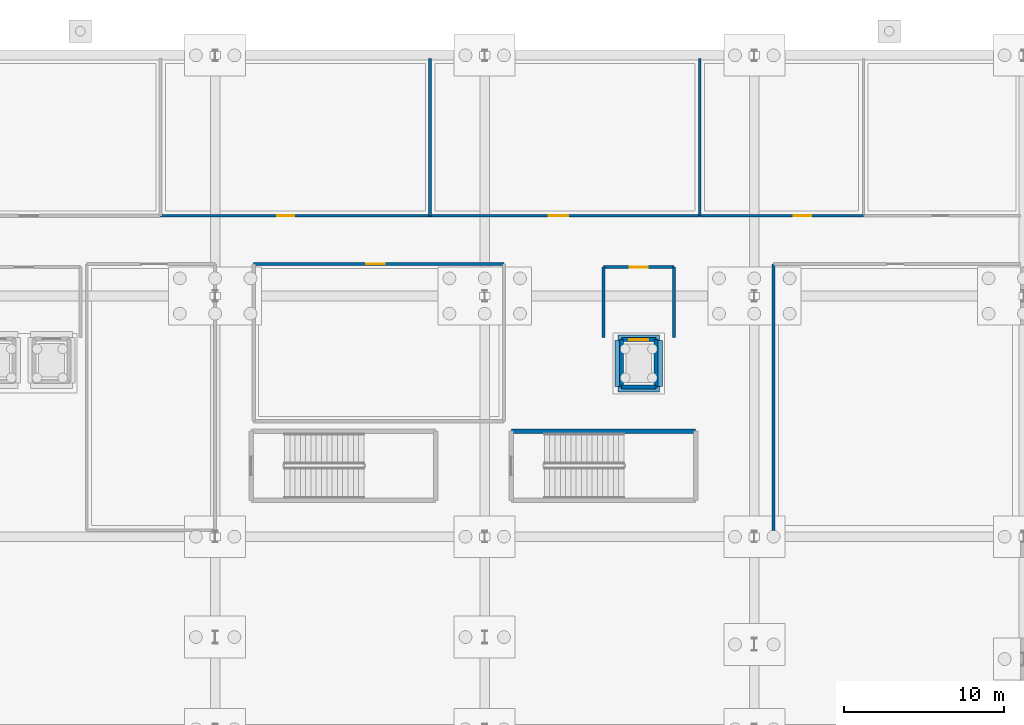
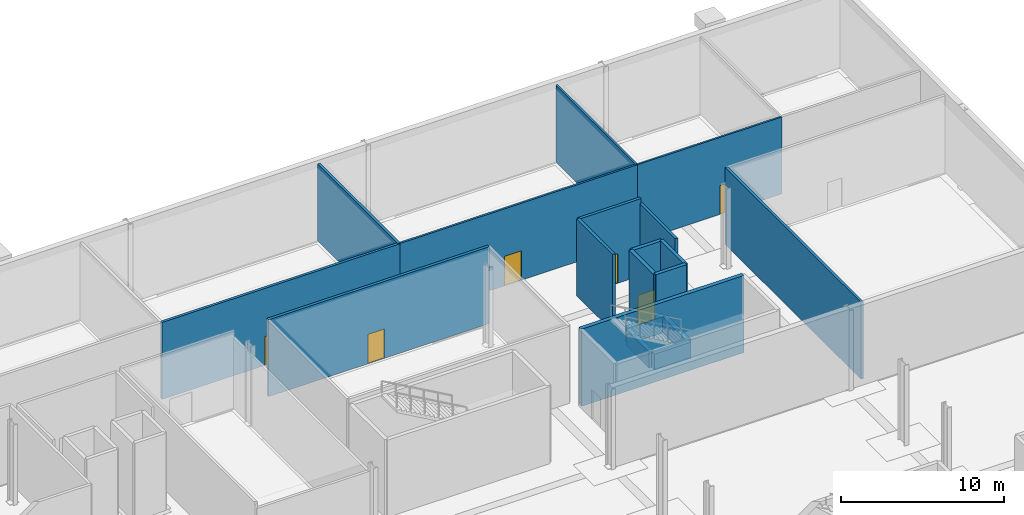
# One storey, part 31 of 46: 19 walls, 6 doors, 6 openings.
"""IFC4 building model written with IfcOpenShell, lengths in metres."""

from ifc_helpers import new_model, si_unit, direction, frame, frame_2d, origin, place, context, subcontext, project, spatial, rectangle, extrude, material, layer, layer_set, type_object, element, fill, save


model = new_model("IFC4")

# Units and contexts
model_context = context("Model", 3, precision=1e-05, world=origin(), true_north=direction((0.0, 1.0)))
body_context = subcontext(model_context, "Body", "Model", "MODEL_VIEW")
ifc_project = project(units=[si_unit("LENGTHUNIT", "METRE"), si_unit("AREAUNIT", "SQUARE_METRE"), si_unit("VOLUMEUNIT", "CUBIC_METRE"), si_unit("PLANEANGLEUNIT", "RADIAN"), si_unit("MASSUNIT", "GRAM", prefix="KILO")], contexts=[model_context])

# Site, building, storey
site_placement = place(None, origin())
site = spatial("IfcSite", under=ifc_project, at=site_placement, CompositionType="ELEMENT")
building_placement = place(site_placement, origin())
building = spatial("IfcBuilding", under=site, at=building_placement, Name="Kimbaza Rail Terminus", CompositionType="ELEMENT")
storey_placement = place(building_placement, frame((0.0, 0.0, -6.0)))
storey = spatial("IfcBuildingStorey", under=building, at=storey_placement, Name="B1", CompositionType="ELEMENT", Elevation=-6.0)

# Wall, opening, door
ifc_material_1 = material(Name="Concrete blockwork C30/37", Category="masonry")
ifc_layer_1 = layer(ifc_material_1, 0.179931640625)
ifc_layer_set_1 = layer_set([ifc_layer_1], Name="Concrete blockwork C30/37")
wall_type_1 = type_object("IfcWallType", Name="ARC-WL-FIRE180", PredefinedType="PARTITIONING", material=ifc_layer_set_1)
wall_1_placement = place(storey_placement, frame((102.199951171875, 123.0, 0.0), z_axis=(0.0, 0.0, 1.0), x_axis=(1.0, 0.0, 0.0)))
wall_1 = element("IfcWall", 1, at=wall_1_placement, inside=storey, type_object=wall_type_1, Name="Sprinkler and Fire Pump Plant Partition (south)", PredefinedType="PARTITIONING", context=body_context, shape_type="SweptSolid", body=[
    extrude(rectangle(XDim=16.800048828125, YDim=0.179931640625, at=frame_2d((8.39990234375, 0.0))), origin(), (0.0, 0.0, 1.0), 5.75),
])
opening_1_placement = place(wall_1_placement, frame((7.27490234375, 0.0, 0.0)))
opening_1 = element("IfcOpeningElement", 2, at=opening_1_placement, cuts=wall_1, Name="Opening FD-04", PredefinedType="OPENING", context=body_context, shape_type="SweptSolid", body=[
    extrude(rectangle(XDim=1.050048828125, YDim=2.14990234375, at=frame_2d((0.52490234375, 1.074951171875))), frame((0.0, 0.099853515625, 0.0), z_axis=(0.0, -1.0, 0.0), x_axis=(1.0, 0.0, 0.0)), (0.0, 0.0, 1.0), 0.199951171875),
])
ifc_material_2 = material(Name="Plant room steel fire door", Category="steel")
door_type_1 = type_object("IfcDoorType", Name="ARC-DR-FD105", OperationType="NOTDEFINED", PredefinedType="DOOR", material=ifc_material_2)
door_1_placement = place(opening_1_placement, origin())
door_1 = element("IfcDoor", 3, at=door_1_placement, inside=storey, type_object=door_type_1, Name="IDR-SPC-V5N-B1-04", OperationType="SINGLE_SWING_LEFT", OverallHeight=2.14990234375, OverallWidth=1.050048828125, PredefinedType="DOOR", context=body_context, shape_type="SweptSolid", body=[
    extrude(rectangle(XDim=1.050048828125, YDim=2.14990234375, at=frame_2d((0.52490234375, 1.074951171875))), frame((0.0, 0.02490234375, 0.0), z_axis=(0.0, -1.0, 0.0), x_axis=(1.0, 0.0, 0.0)), (0.0, 0.0, 1.0), 0.050048828125),
])
fill(opening_1, door_1)

# Walls
wall_2_placement = place(storey_placement, frame((119.0, 123.0, 0.0), z_axis=(0.0, 0.0, 1.0), x_axis=(0.0, 1.0, 0.0)))
element("IfcWall", 4, at=wall_2_placement, inside=storey, type_object=wall_type_1, Name="Sprinkler and Fire Pump Plant Partition (east)", PredefinedType="PARTITIONING", context=body_context, shape_type="SweptSolid", body=[
    extrude(rectangle(XDim=9.800048828125, YDim=0.179931640625, at=frame_2d((4.89990234375, 0.0))), origin(), (0.0, 0.0, 1.0), 5.75),
])
wall_3_placement = place(storey_placement, frame((140.39990234375, 120.0, 0.0), z_axis=(0.0, 0.0, 1.0), x_axis=(0.0, -1.0, 0.0)))
element("IfcWall", 5, at=wall_3_placement, inside=storey, type_object=wall_type_1, Name="B1 East Telecoms Technical Office Partition (west)", PredefinedType="PARTITIONING", context=body_context, shape_type="SweptSolid", body=[
    extrude(rectangle(XDim=16.60009765625, YDim=0.179931640625, at=frame_2d((8.300048828125, 0.0))), origin(), (0.0, 0.0, 1.0), 5.75),
])
ifc_material_3 = material(Name="Concrete blockwork C30/37", Category="masonry")
ifc_layer_2 = layer(ifc_material_3, 0.199951171875)
ifc_layer_set_2 = layer_set([ifc_layer_2], Name="Concrete blockwork C30/37")
wall_type_2 = type_object("IfcWallType", Name="ARC-WL-FIRE200", PredefinedType="PARTITIONING", material=ifc_layer_set_2)
wall_4_placement = place(storey_placement, frame((134.199951171875, 115.39990234375, 0.0), z_axis=(0.0, 0.0, 1.0), x_axis=(0.0, 1.0, 0.0)))
element("IfcWall", 6, at=wall_4_placement, inside=storey, type_object=wall_type_2, Name="Firefighting Lobby LF-02 Partition (east)", PredefinedType="PARTITIONING", context=body_context, shape_type="SweptSolid", body=[
    extrude(rectangle(XDim=4.400146484375, YDim=0.199951171875, at=frame_2d((2.2001953125, 0.0))), origin(), (0.0, 0.0, 1.0), 5.39501953125),
])

# Wall, opening, door
wall_5_placement = place(storey_placement, frame((134.199951171875, 119.800048828125, 0.0), z_axis=(0.0, 0.0, 1.0), x_axis=(-1.0, 0.0, 0.0)))
wall_5 = element("IfcWall", 7, at=wall_5_placement, inside=storey, type_object=wall_type_2, Name="Firefighting Lobby LF-02 Partition (north)", PredefinedType="PARTITIONING", context=body_context, shape_type="SweptSolid", body=[
    extrude(rectangle(XDim=4.39990234375, YDim=0.199951171875, at=frame_2d((2.199951171875, 0.0))), origin(), (0.0, 0.0, 1.0), 5.75),
])
opening_2_placement = place(wall_5_placement, frame((1.625, 0.0, 0.0)))
opening_2 = element("IfcOpeningElement", 8, at=opening_2_placement, cuts=wall_5, Name="Opening FD-03", PredefinedType="OPENING", context=body_context, shape_type="SweptSolid", body=[
    extrude(rectangle(XDim=1.14990234375, YDim=2.199951171875, at=frame_2d((0.574951171875, 1.10009765625))), frame((0.0, 0.10986328125, 0.0), z_axis=(0.0, -1.0, 0.0), x_axis=(1.0, 0.0, 0.0)), (0.0, 0.0, 1.0), 0.219970703125),
])
ifc_material_4 = material(Name="Firefighting lobby self-closing steel door", Category="steel")
door_type_2 = type_object("IfcDoorType", Name="ARC-DR-FD115", OperationType="NOTDEFINED", PredefinedType="DOOR", material=ifc_material_4)
door_2_placement = place(opening_2_placement, origin())
door_2 = element("IfcDoor", 9, at=door_2_placement, inside=storey, type_object=door_type_2, Name="IDR-SPC-FFL-LF-02-B1", OperationType="SINGLE_SWING_RIGHT", OverallHeight=2.199951171875, OverallWidth=1.14990234375, PredefinedType="DOOR", context=body_context, shape_type="SweptSolid", body=[
    extrude(rectangle(XDim=1.14990234375, YDim=2.199951171875, at=frame_2d((0.574951171875, 1.10009765625))), frame((0.0, 0.02490234375, 0.0), z_axis=(0.0, -1.0, 0.0), x_axis=(1.0, 0.0, 0.0)), (0.0, 0.0, 1.0), 0.050048828125),
])
fill(opening_2, door_2)

# Wall
wall_6_placement = place(storey_placement, frame((129.800048828125, 119.800048828125, 0.0), z_axis=(0.0, 0.0, 1.0), x_axis=(0.0, -1.0, 0.0)))
element("IfcWall", 10, at=wall_6_placement, inside=storey, type_object=wall_type_2, Name="Firefighting Lobby LF-02 Partition (west)", PredefinedType="PARTITIONING", context=body_context, shape_type="SweptSolid", body=[
    extrude(rectangle(XDim=4.400146484375, YDim=0.199951171875, at=frame_2d((2.2001953125, 0.0))), origin(), (0.0, 0.0, 1.0), 5.75),
])

# Wall, opening, door
wall_7_placement = place(storey_placement, frame((123.60009765625, 120.0, 0.0), z_axis=(0.0, 0.0, 1.0), x_axis=(-1.0, 0.0, 0.0)))
wall_7 = element("IfcWall", 11, at=wall_7_placement, inside=storey, type_object=wall_type_2, Name="B1 Rolling Stock Rostering Studio Partition (north)", PredefinedType="PARTITIONING", context=body_context, shape_type="SweptSolid", body=[
    extrude(rectangle(XDim=15.60009765625, YDim=0.199951171875, at=frame_2d((7.800048828125, 0.0))), origin(), (0.0, 0.0, 1.0), 5.75),
])
opening_3_placement = place(wall_7_placement, frame((7.425048828125, 0.0, 0.0)))
opening_3 = element("IfcOpeningElement", 12, at=opening_3_placement, cuts=wall_7, Name="Opening FD-03", PredefinedType="OPENING", context=body_context, shape_type="SweptSolid", body=[
    extrude(rectangle(XDim=1.14990234375, YDim=2.199951171875, at=frame_2d((0.574951171875, 1.10009765625))), frame((0.0, 0.10986328125, 0.0), z_axis=(0.0, -1.0, 0.0), x_axis=(1.0, 0.0, 0.0)), (0.0, 0.0, 1.0), 0.219970703125),
])
door_3_placement = place(opening_3_placement, origin())
door_3 = element("IfcDoor", 13, at=door_3_placement, inside=storey, type_object=door_type_2, Name="IDR-SPC-V5S-B1-4", OperationType="SINGLE_SWING_RIGHT", OverallHeight=2.199951171875, OverallWidth=1.14990234375, PredefinedType="DOOR", context=body_context, shape_type="SweptSolid", body=[
    extrude(rectangle(XDim=1.14990234375, YDim=2.199951171875, at=frame_2d((0.574951171875, 1.10009765625))), frame((0.0, 0.02490234375, 0.0), z_axis=(0.0, -1.0, 0.0), x_axis=(1.0, 0.0, 0.0)), (0.0, 0.0, 1.0), 0.050048828125),
])
fill(opening_3, door_3)

ifc_material_5 = material(Name="Acoustic gypsum stud partition", Category="gypsum")
ifc_layer_3 = layer(ifc_material_5, 0.1298828125)
ifc_layer_set_3 = layer_set([ifc_layer_3], Name="Acoustic gypsum stud partition")
wall_type_3 = type_object("IfcWallType", Name="ARC-WL-PART130", PredefinedType="PARTITIONING", material=ifc_layer_set_3)
wall_8_placement = place(storey_placement, frame((135.800048828125, 123.0, 0.0), z_axis=(0.0, 0.0, 1.0), x_axis=(1.0, 0.0, 0.0)))
wall_8 = element("IfcWall", 14, at=wall_8_placement, inside=storey, type_object=wall_type_3, Name="Track Maintenance Equipment Store Partition (south)", PredefinedType="PARTITIONING", context=body_context, shape_type="SweptSolid", body=[
    extrude(rectangle(XDim=10.199951171875, YDim=0.1298828125, at=frame_2d((5.10009765625, 0.0))), origin(), (0.0, 0.0, 1.0), 5.75),
])
opening_4_placement = place(wall_8_placement, frame((6.9501953125, 0.0, 0.0), z_axis=(0.0, 0.0, 1.0), x_axis=(-1.0, 0.0, 0.0)))
opening_4 = element("IfcOpeningElement", 15, at=opening_4_placement, cuts=wall_8, Name="Opening ID-04", PredefinedType="OPENING", context=body_context, shape_type="SweptSolid", body=[
    extrude(rectangle(XDim=1.10009765625, YDim=2.14990234375, at=frame_2d((0.550048828125, 1.074951171875))), frame((0.0, 0.074951171875, 0.0), z_axis=(0.0, -1.0, 0.0), x_axis=(1.0, 0.0, 0.0)), (0.0, 0.0, 1.0), 0.14990234375),
])
ifc_material_6 = material(Name="Hardwood veneer acoustic office door", Category="wood")
door_type_3 = type_object("IfcDoorType", Name="ARC-DR-ID110", OperationType="NOTDEFINED", PredefinedType="DOOR", material=ifc_material_6)
door_4_placement = place(opening_4_placement, origin())
door_4 = element("IfcDoor", 16, at=door_4_placement, inside=storey, type_object=door_type_3, Name="IDR-SPC-V5N-B1-06", OperationType="SINGLE_SWING_LEFT", OverallHeight=2.14990234375, OverallWidth=1.10009765625, PredefinedType="DOOR", context=body_context, shape_type="SweptSolid", body=[
    extrude(rectangle(XDim=1.10009765625, YDim=2.14990234375, at=frame_2d((0.550048828125, 1.074951171875))), frame((0.0, 0.02490234375, 0.0), z_axis=(0.0, -1.0, 0.0), x_axis=(1.0, 0.0, 0.0)), (0.0, 0.0, 1.0), 0.050048828125),
])
fill(opening_4, door_4)

ifc_material_7 = material(Name="Acoustic gypsum stud partition", Category="gypsum")
ifc_layer_4 = layer(ifc_material_7, 0.139892578125)
ifc_layer_set_4 = layer_set([ifc_layer_4], Name="Acoustic gypsum stud partition")
wall_type_4 = type_object("IfcWallType", Name="ARC-WL-PART140", PredefinedType="PARTITIONING", material=ifc_layer_set_4)
wall_9_placement = place(storey_placement, frame((119.0, 123.0, 0.0), z_axis=(0.0, 0.0, 1.0), x_axis=(1.0, 0.0, 0.0)))
wall_9 = element("IfcWall", 17, at=wall_9_placement, inside=storey, type_object=wall_type_4, Name="Fiber Cable Vault and Main Switch Partition (south)", PredefinedType="PARTITIONING", context=body_context, shape_type="SweptSolid", body=[
    extrude(rectangle(XDim=16.800048828125, YDim=0.139892578125, at=frame_2d((8.39990234375, 0.0))), origin(), (0.0, 0.0, 1.0), 5.75),
])
opening_5_placement = place(wall_9_placement, frame((7.39990234375, 0.0, 0.0)))
opening_5 = element("IfcOpeningElement", 18, at=opening_5_placement, cuts=wall_9, Name="Opening ID-03", PredefinedType="OPENING", context=body_context, shape_type="SweptSolid", body=[
    extrude(rectangle(XDim=1.199951171875, YDim=2.199951171875, at=frame_2d((0.60009765625, 1.10009765625))), frame((0.0, 0.079833984375, 0.0), z_axis=(0.0, -1.0, 0.0), x_axis=(1.0, 0.0, 0.0)), (0.0, 0.0, 1.0), 0.159912109375),
])
ifc_material_8 = material(Name="Hardwood veneer acoustic room door", Category="wood")
door_type_4 = type_object("IfcDoorType", Name="ARC-DR-ID120", OperationType="NOTDEFINED", PredefinedType="DOOR", material=ifc_material_8)
door_5_placement = place(opening_5_placement, origin())
door_5 = element("IfcDoor", 19, at=door_5_placement, inside=storey, type_object=door_type_4, Name="IDR-SPC-V5N-B1-05", OperationType="SINGLE_SWING_RIGHT", OverallHeight=2.199951171875, OverallWidth=1.199951171875, PredefinedType="DOOR", context=body_context, shape_type="SweptSolid", body=[
    extrude(rectangle(XDim=1.199951171875, YDim=2.199951171875, at=frame_2d((0.60009765625, 1.10009765625))), frame((0.0, 0.02490234375, 0.0), z_axis=(0.0, -1.0, 0.0), x_axis=(1.0, 0.0, 0.0)), (0.0, 0.0, 1.0), 0.050048828125),
])
fill(opening_5, door_5)

# Walls
wall_10_placement = place(storey_placement, frame((135.800048828125, 123.0, 0.0), z_axis=(0.0, 0.0, 1.0), x_axis=(0.0, 1.0, 0.0)))
element("IfcWall", 20, at=wall_10_placement, inside=storey, type_object=wall_type_4, Name="Fiber Cable Vault and Main Switch Partition (east)", PredefinedType="PARTITIONING", context=body_context, shape_type="SweptSolid", body=[
    extrude(rectangle(XDim=9.800048828125, YDim=0.139892578125, at=frame_2d((4.89990234375, 0.0))), origin(), (0.0, 0.0, 1.0), 5.75),
])
ifc_material_9 = material(Name="Concrete C40/50", Category="concrete")
ifc_layer_5 = layer(ifc_material_9, 0.25)
ifc_layer_set_5 = layer_set([ifc_layer_5], Name="Concrete C40/50")
wall_type_5 = type_object("IfcWallType", Name="STR-WL-CORE250", PredefinedType="SHEAR", material=ifc_layer_set_5)
wall_11_placement = place(storey_placement, frame((130.919921875, 112.320068359375, 0.0), z_axis=(0.0, 0.0, 1.0), x_axis=(1.0, 0.0, 0.0)))
element("IfcWall", 21, at=wall_11_placement, inside=storey, type_object=wall_type_5, Name="Lift Shaft Wall LF-02 B1-1", PredefinedType="SHEAR", context=body_context, shape_type="SweptSolid", body=[
    extrude(rectangle(XDim=2.16015625, YDim=0.25, at=frame_2d((1.080078125, 0.0))), origin(), (0.0, 0.0, 1.0), 5.760009765625),
])
wall_12_placement = place(storey_placement, frame((133.080078125, 112.320068359375, 0.0), z_axis=(0.0, 0.0, 1.0), x_axis=(0.0, 1.0, 0.0)))
element("IfcWall", 22, at=wall_12_placement, inside=storey, type_object=wall_type_5, Name="Lift Shaft Wall LF-02 B1-2", PredefinedType="SHEAR", context=body_context, shape_type="SweptSolid", body=[
    extrude(rectangle(XDim=2.9599609375, YDim=0.25, at=frame_2d((1.47998046875, 0.0))), origin(), (0.0, 0.0, 1.0), 5.760009765625),
])

# Wall, opening, door
wall_13_placement = place(storey_placement, frame((133.080078125, 115.280029296875, 0.0), z_axis=(0.0, 0.0, 1.0), x_axis=(-1.0, 0.0, 0.0)))
wall_13 = element("IfcWall", 23, at=wall_13_placement, inside=storey, type_object=wall_type_5, Name="Lift Shaft Wall LF-02 B1-3", PredefinedType="SHEAR", context=body_context, shape_type="SweptSolid", body=[
    extrude(rectangle(XDim=2.16015625, YDim=0.25, at=frame_2d((1.080078125, 0.0))), origin(), (0.0, 0.0, 1.0), 5.760009765625),
])
opening_6_placement = place(wall_13_placement, frame((0.47998046875, 0.0, 0.0)))
opening_6 = element("IfcOpeningElement", 24, at=opening_6_placement, cuts=wall_13, Name="Opening LD-02", PredefinedType="OPENING", context=body_context, shape_type="SweptSolid", body=[
    extrude(rectangle(XDim=1.199951171875, YDim=2.199951171875, at=frame_2d((0.60009765625, 1.10009765625))), frame((0.0, 0.135009765625, 0.0), z_axis=(0.0, -1.0, 0.0), x_axis=(1.0, 0.0, 0.0)), (0.0, 0.0, 1.0), 0.27001953125),
])
ifc_material_10 = material(Name="Firefighting stainless steel landing door", Category="steel")
door_type_5 = type_object("IfcDoorType", Name="ARC-DR-LD120", OperationType="NOTDEFINED", PredefinedType="DOOR", material=ifc_material_10)
door_6_placement = place(opening_6_placement, origin())
door_6 = element("IfcDoor", 25, at=door_6_placement, inside=storey, type_object=door_type_5, Name="LDR-LF-02-B1", OperationType="SLIDING_TO_LEFT", OverallHeight=2.199951171875, OverallWidth=1.199951171875, PredefinedType="DOOR", context=body_context, shape_type="SweptSolid", body=[
    extrude(rectangle(XDim=1.199951171875, YDim=2.199951171875, at=frame_2d((0.60009765625, 1.10009765625))), frame((0.0, 0.02490234375, 0.0), z_axis=(0.0, -1.0, 0.0), x_axis=(1.0, 0.0, 0.0)), (0.0, 0.0, 1.0), 0.050048828125),
])
fill(opening_6, door_6)

# Walls
wall_14_placement = place(storey_placement, frame((130.919921875, 115.280029296875, 0.0), z_axis=(0.0, 0.0, 1.0), x_axis=(0.0, -1.0, 0.0)))
element("IfcWall", 26, at=wall_14_placement, inside=storey, type_object=wall_type_5, Name="Lift Shaft Wall LF-02 B1-4", PredefinedType="SHEAR", context=body_context, shape_type="SweptSolid", body=[
    extrude(rectangle(XDim=2.9599609375, YDim=0.25, at=frame_2d((1.47998046875, 0.0))), origin(), (0.0, 0.0, 1.0), 5.760009765625),
])
ifc_material_11 = material(Name="Concrete C40/50", Category="concrete")
ifc_layer_6 = layer(ifc_material_11, 0.280029296875)
ifc_layer_set_6 = layer_set([ifc_layer_6], Name="Concrete C40/50")
wall_type_6 = type_object("IfcWallType", Name="STR-WL-CORE280", PredefinedType="SHEAR", material=ifc_layer_set_6)
wall_15_placement = place(storey_placement, frame((135.5400390625, 109.580078125, 0.0), z_axis=(0.0, 0.0, 1.0), x_axis=(-1.0, 0.0, 0.0)))
element("IfcWall", 27, at=wall_15_placement, inside=storey, type_object=wall_type_6, Name="Operations East Exit Stair Shaft Wall B1-3", PredefinedType="SHEAR", context=body_context, shape_type="SweptSolid", body=[
    extrude(rectangle(XDim=11.47998046875, YDim=0.280029296875, at=frame_2d((5.739990234375, 0.0))), origin(), (0.0, 0.0, 1.0), 5.760009765625),
])
ifc_material_12 = material(Name="Concrete C40/50", Category="concrete")
ifc_layer_7 = layer(ifc_material_12, 0.35009765625)
ifc_layer_set_7 = layer_set([ifc_layer_7], Name="Concrete C40/50")
wall_type_7 = type_object("IfcWallType", Name="STR-WL-RET350", PredefinedType="SOLIDWALL", material=ifc_layer_set_7)
wall_16_placement = place(storey_placement, frame((130.699951171875, 112.199951171875, -1.199951171875), z_axis=(0.0, 0.0, 1.0), x_axis=(1.0, 0.0, 0.0)))
element("IfcWall", 28, at=wall_16_placement, inside=storey, type_object=wall_type_7, Name="Lift Pit Wall LF-02-1", PredefinedType="SOLIDWALL", context=body_context, shape_type="SweptSolid", body=[
    extrude(rectangle(XDim=2.60009765625, YDim=0.35009765625, at=frame_2d((1.300048828125, 0.0))), origin(), (0.0, 0.0, 1.0), 1.199951171875),
])
wall_17_placement = place(storey_placement, frame((133.300048828125, 112.375, -1.199951171875), z_axis=(0.0, 0.0, 1.0), x_axis=(0.0, 1.0, 0.0)))
element("IfcWall", 29, at=wall_17_placement, inside=storey, type_object=wall_type_7, Name="Lift Pit Wall LF-02-2", PredefinedType="SOLIDWALL", context=body_context, shape_type="SweptSolid", body=[
    extrude(rectangle(XDim=2.85009765625, YDim=0.35009765625, at=frame_2d((1.425048828125, 0.0))), origin(), (0.0, 0.0, 1.0), 1.199951171875),
])
wall_18_placement = place(storey_placement, frame((133.300048828125, 115.39990234375, -1.199951171875), z_axis=(0.0, 0.0, 1.0), x_axis=(-1.0, 0.0, 0.0)))
element("IfcWall", 30, at=wall_18_placement, inside=storey, type_object=wall_type_7, Name="Lift Pit Wall LF-02-3", PredefinedType="SOLIDWALL", context=body_context, shape_type="SweptSolid", body=[
    extrude(rectangle(XDim=2.60009765625, YDim=0.35009765625, at=frame_2d((1.300048828125, 0.0))), origin(), (0.0, 0.0, 1.0), 1.199951171875),
])
wall_19_placement = place(storey_placement, frame((130.699951171875, 115.22509765625, -1.199951171875), z_axis=(0.0, 0.0, 1.0), x_axis=(0.0, -1.0, 0.0)))
element("IfcWall", 31, at=wall_19_placement, inside=storey, type_object=wall_type_7, Name="Lift Pit Wall LF-02-4", PredefinedType="SOLIDWALL", context=body_context, shape_type="SweptSolid", body=[
    extrude(rectangle(XDim=2.85009765625, YDim=0.35009765625, at=frame_2d((1.425048828125, 0.0))), origin(), (0.0, 0.0, 1.0), 1.199951171875),
])

save(model, "model.ifc")
